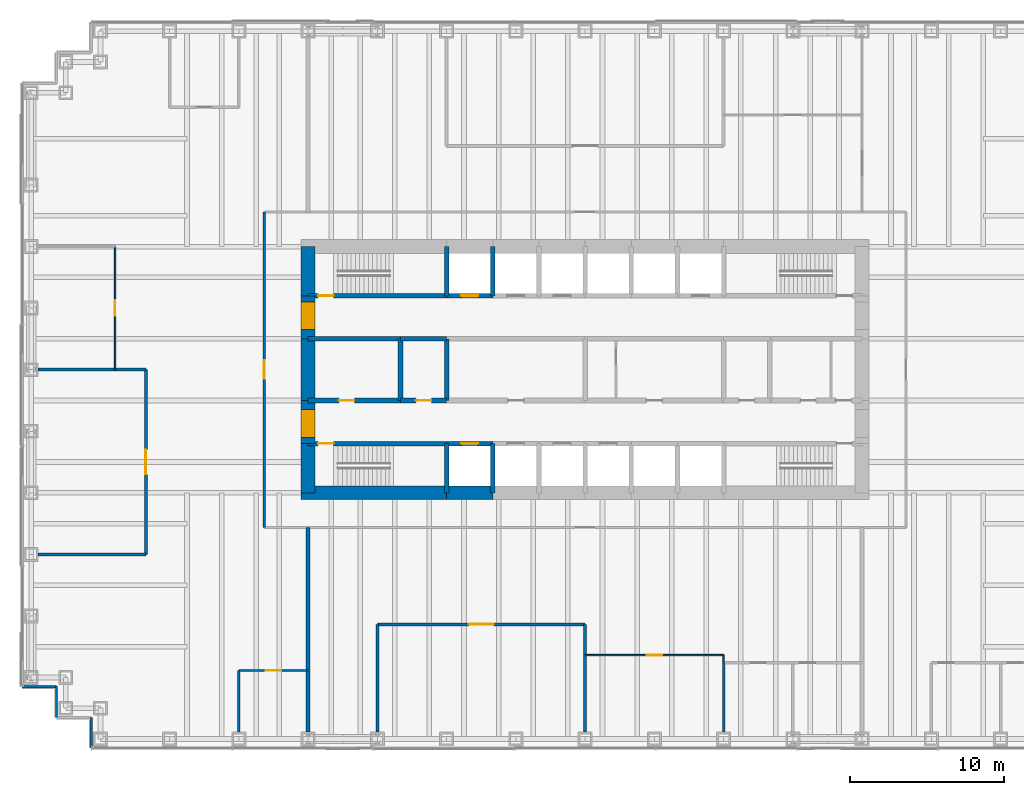
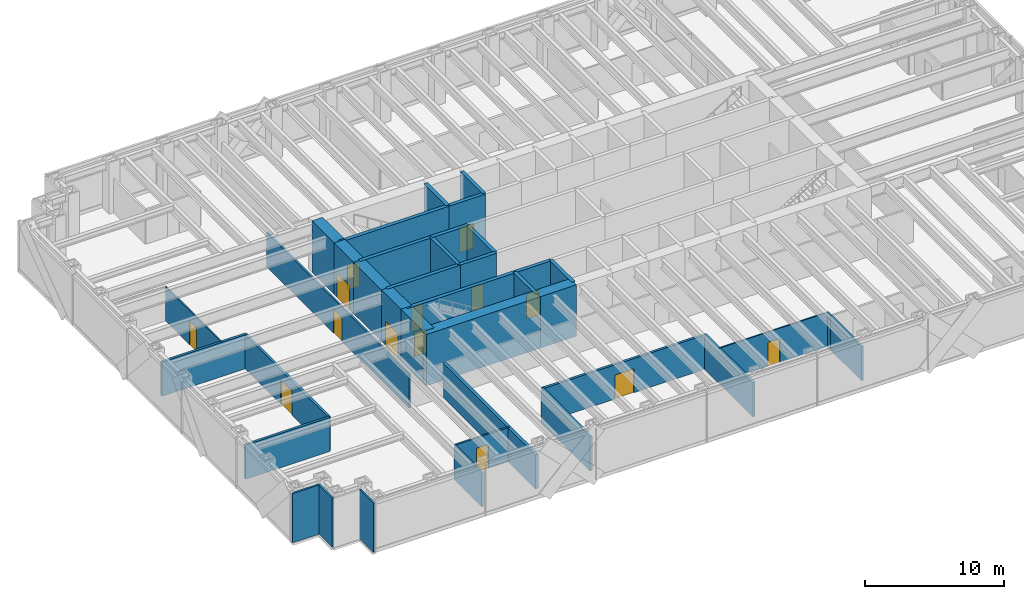
# One storey, part 9 of 13: 38 walls, 14 doors, 14 openings.
"""IFC4 building model written with IfcOpenShell, lengths in metres."""

from ifc_helpers import new_model, si_unit, direction, frame, frame_2d, origin, place, context, subcontext, project, spatial, rectangle, extrude, material, layer, layer_set, type_object, element, fill, save


model = new_model("IFC4")

# Units and contexts
model_context = context("Model", 3, precision=1e-05, world=origin(), true_north=direction((0.0, 1.0)))
body_context = subcontext(model_context, "Body", "Model", "MODEL_VIEW")
ifc_project = project(units=[si_unit("LENGTHUNIT", "METRE"), si_unit("AREAUNIT", "SQUARE_METRE"), si_unit("VOLUMEUNIT", "CUBIC_METRE"), si_unit("PLANEANGLEUNIT", "RADIAN"), si_unit("MASSUNIT", "GRAM", prefix="KILO")], contexts=[model_context])

# Site, building, storey
site_placement = place(None, origin())
site = spatial("IfcSite", under=ifc_project, at=site_placement, CompositionType="ELEMENT")
building_placement = place(site_placement, origin())
building = spatial("IfcBuilding", under=site, at=building_placement, Name="Rheinbord Bourse Tower", CompositionType="ELEMENT")
storey_placement = place(building_placement, frame((0.0, 0.0, 77.0)))
storey = spatial("IfcBuildingStorey", under=building, at=storey_placement, Name="L16", CompositionType="ELEMENT", Elevation=77.0)

# Wall, opening, door
ifc_material_1 = material(Name="Acoustic gypsum board partition", Category="gypsum board")
ifc_layer_1 = layer(ifc_material_1, 0.199951171875)
ifc_layer_set_1 = layer_set([ifc_layer_1], Name="ACOUSTIC PARTITION 200")
wall_type_1 = type_object("IfcWallType", Name="ACOUSTIC PARTITION 200", PredefinedType="PARTITIONING", material=ifc_layer_set_1)
wall_1_placement = place(storey_placement, frame((22.5, 7.449951171875, 0.0), z_axis=(0.0, 0.0, 1.0), x_axis=(1.0, 0.0, 0.0)))
wall_1 = element("IfcWall", 1, at=wall_1_placement, inside=storey, type_object=wall_type_1, Name="Partition L16-06", PredefinedType="PARTITIONING", context=body_context, shape_type="SweptSolid", body=[
    extrude(rectangle(XDim=13.5, YDim=0.199951171875, at=frame_2d((6.75, 0.0))), origin(), (0.0, 0.0, 1.0), 3.0),
])
opening_1_placement = place(wall_1_placement, frame((5.949951171875, 0.0, 0.0)))
opening_1 = element("IfcOpeningElement", 2, at=opening_1_placement, cuts=wall_1, Name="Opening 16D07", PredefinedType="OPENING", context=body_context, shape_type="SweptSolid", body=[
    extrude(rectangle(XDim=1.60009765625, YDim=2.10009765625, at=frame_2d((0.800048828125, 1.050048828125))), frame((0.0, 0.10986328125, 0.0), z_axis=(0.0, -1.0, 0.0), x_axis=(1.0, 0.0, 0.0)), (0.0, 0.0, 1.0), 0.219970703125),
])
ifc_material_2 = material(Name="Timber door", Category="wood")
door_type_1 = type_object("IfcDoorType", Name="DOUBLE ROOM DOOR 1600", OperationType="DOUBLE_DOOR_DOUBLE_SWING", PredefinedType="DOOR", material=ifc_material_2)
door_1_placement = place(opening_1_placement, origin())
door_1 = element("IfcDoor", 3, at=door_1_placement, inside=storey, type_object=door_type_1, Name="Trading room door L16", OperationType="SINGLE_SWING_LEFT", OverallHeight=2.10009765625, OverallWidth=1.60009765625, PredefinedType="DOOR", context=body_context, shape_type="SweptSolid", body=[
    extrude(rectangle(XDim=1.60009765625, YDim=2.10009765625, at=frame_2d((0.800048828125, 1.050048828125))), frame((0.0, 0.02490234375, 0.0), z_axis=(0.0, -1.0, 0.0), x_axis=(1.0, 0.0, 0.0)), (0.0, 0.0, 1.0), 0.050048828125),
])
fill(opening_1, door_1)

# Walls
for number, where, z_axis, x_axis, name in (
    (4, (0.449951171875, 12.0, 0.0), (0.0, 0.0, 1.0), (1.0, 0.0, 0.0), "Partition L16-07"),
    (5, (0.449951171875, 24.0, 0.0), (0.0, 0.0, 1.0), (1.0, 0.0, 0.0), "Partition L16-11"),
):
    element("IfcWall", number, at=place(storey_placement, frame(where, z_axis=z_axis, x_axis=x_axis)), inside=storey, type_object=wall_type_1, Name=name, PredefinedType="PARTITIONING", context=body_context, shape_type="SweptSolid", body=[
        extrude(rectangle(XDim=7.0, YDim=0.199951171875, at=frame_2d((3.5, 0.0))), origin(), (0.0, 0.0, 1.0), 3.0),
    ])

# Wall, opening, door
wall_2_placement = place(storey_placement, frame((7.449951171875, 12.0, 0.0), z_axis=(0.0, 0.0, 1.0), x_axis=(0.0, 1.0, 0.0)))
wall_2 = element("IfcWall", 6, at=wall_2_placement, inside=storey, type_object=wall_type_1, Name="Partition L16-22", PredefinedType="PARTITIONING", context=body_context, shape_type="SweptSolid", body=[
    extrude(rectangle(XDim=12.0, YDim=0.199951171875, at=frame_2d((6.0, 0.0))), origin(), (0.0, 0.0, 1.0), 3.0),
])
opening_2_placement = place(wall_2_placement, frame((5.199951171875, 0.0, 0.0)))
opening_2 = element("IfcOpeningElement", 7, at=opening_2_placement, cuts=wall_2, Name="Opening 16D09", PredefinedType="OPENING", context=body_context, shape_type="SweptSolid", body=[
    extrude(rectangle(XDim=1.60009765625, YDim=2.10009765625, at=frame_2d((0.800048828125, 1.050048828125))), frame((0.0, 0.10986328125, 0.0), z_axis=(0.0, -1.0, 0.0), x_axis=(1.0, 0.0, 0.0)), (0.0, 0.0, 1.0), 0.219970703125),
])
door_2_placement = place(opening_2_placement, origin())
door_2 = element("IfcDoor", 8, at=door_2_placement, inside=storey, type_object=door_type_1, Name="Trading room door L16", OperationType="SINGLE_SWING_LEFT", OverallHeight=2.10009765625, OverallWidth=1.60009765625, PredefinedType="DOOR", context=body_context, shape_type="SweptSolid", body=[
    extrude(rectangle(XDim=1.60009765625, YDim=2.10009765625, at=frame_2d((0.800048828125, 1.050048828125))), frame((0.0, 0.02490234375, 0.0), z_axis=(0.0, -1.0, 0.0), x_axis=(1.0, 0.0, 0.0)), (0.0, 0.0, 1.0), 0.050048828125),
])
fill(opening_2, door_2)

# Walls
for number, where, z_axis, x_axis, name in (
    (9, (22.5, 0.449951171875, 0.0), (0.0, 0.0, 1.0), (0.0, 1.0, 0.0), "Partition L16-29"),
    (10, (36.0, 0.449951171875, 0.0), (0.0, 0.0, 1.0), (0.0, 1.0, 0.0), "Partition L16-31"),
):
    element("IfcWall", number, at=place(storey_placement, frame(where, z_axis=z_axis, x_axis=x_axis)), inside=storey, type_object=wall_type_1, Name=name, PredefinedType="PARTITIONING", context=body_context, shape_type="SweptSolid", body=[
        extrude(rectangle(XDim=7.0, YDim=0.199951171875, at=frame_2d((3.5, 0.0))), origin(), (0.0, 0.0, 1.0), 3.0),
    ])

# Wall, opening, door
ifc_material_3 = material(Name="Concrete C50/60", Category="concrete")
ifc_layer_2 = layer(ifc_material_3, 0.300048828125)
ifc_layer_set_2 = layer_set([ifc_layer_2], Name="CORE INNER WALL 300")
wall_type_2 = type_object("IfcWallType", Name="CORE INNER WALL 300", PredefinedType="SOLIDWALL", material=ifc_layer_set_2)
wall_3_placement = place(storey_placement, frame((18.0, 19.199951171875, 0.0), z_axis=(0.0, 0.0, 1.0), x_axis=(1.0, 0.0, 0.0)))
wall_3 = element("IfcWall", 11, at=wall_3_placement, inside=storey, type_object=wall_type_2, Name="Core wall A1 L16", PredefinedType="SOLIDWALL", context=body_context, shape_type="SweptSolid", body=[
    extrude(rectangle(XDim=9.0, YDim=0.300048828125, at=frame_2d((4.5, 0.0))), origin(), (0.0, 0.0, 1.0), 4.5),
])
opening_3_placement = place(wall_3_placement, frame((0.64990234375, 0.0, 0.0)))
opening_3 = element("IfcOpeningElement", 12, at=opening_3_placement, cuts=wall_3, Name="Opening 1610", PredefinedType="OPENING", context=body_context, shape_type="SweptSolid", body=[
    extrude(rectangle(XDim=1.0, YDim=2.10009765625, at=frame_2d((0.5, 1.050048828125))), frame((0.0, 0.159912109375, 0.0), z_axis=(0.0, -1.0, 0.0), x_axis=(1.0, 0.0, 0.0)), (0.0, 0.0, 1.0), 0.320068359375),
])
ifc_material_4 = material(Name="Steel door", Category="steel")
door_type_2 = type_object("IfcDoorType", Name="DOOR 1000 EI30", OperationType="SINGLE_SWING_LEFT", PredefinedType="DOOR", material=ifc_material_4)
door_3_placement = place(opening_3_placement, origin())
door_3 = element("IfcDoor", 13, at=door_3_placement, inside=storey, type_object=door_type_2, Name="Stair door ST1 L16", OperationType="SINGLE_SWING_LEFT", OverallHeight=2.10009765625, OverallWidth=1.0, PredefinedType="DOOR", context=body_context, shape_type="SweptSolid", body=[
    extrude(rectangle(XDim=1.0, YDim=2.10009765625, at=frame_2d((0.5, 1.050048828125))), frame((0.0, 0.02490234375, 0.0), z_axis=(0.0, -1.0, 0.0), x_axis=(1.0, 0.0, 0.0)), (0.0, 0.0, 1.0), 0.050048828125),
])
fill(opening_3, door_3)

wall_4_placement = place(storey_placement, frame((27.0, 19.199951171875, 0.0), z_axis=(0.0, 0.0, 1.0), x_axis=(1.0, 0.0, 0.0)))
wall_4 = element("IfcWall", 14, at=wall_4_placement, inside=storey, type_object=wall_type_2, Name="Core wall A2 L16", PredefinedType="SOLIDWALL", context=body_context, shape_type="SweptSolid", body=[
    extrude(rectangle(XDim=3.0, YDim=0.300048828125, at=frame_2d((1.5, 0.0))), origin(), (0.0, 0.0, 1.0), 4.5),
])
opening_4_placement = place(wall_4_placement, frame((0.949951171875, 0.0, 0.0)))
opening_4 = element("IfcOpeningElement", 15, at=opening_4_placement, cuts=wall_4, Name="Opening FL1", PredefinedType="OPENING", context=body_context, shape_type="SweptSolid", body=[
    extrude(rectangle(XDim=1.10009765625, YDim=2.199951171875, at=frame_2d((0.550048828125, 1.10009765625))), frame((0.0, 0.159912109375, 0.0), z_axis=(0.0, -1.0, 0.0), x_axis=(1.0, 0.0, 0.0)), (0.0, 0.0, 1.0), 0.320068359375),
])
ifc_material_5 = material(Name="Steel landing door", Category="steel")
door_type_3 = type_object("IfcDoorType", Name="LIFT LANDING DOOR 1100", OperationType="DOUBLE_DOOR_SLIDING", PredefinedType="USERDEFINED", material=ifc_material_5)
door_4_placement = place(opening_4_placement, origin())
door_4 = element("IfcDoor", 16, at=door_4_placement, inside=storey, type_object=door_type_3, Name="Lift landing door FL1 L16", ObjectType="LIFT LANDING DOOR", OperationType="DOUBLE_DOOR_SLIDING", OverallHeight=2.199951171875, OverallWidth=1.10009765625, PredefinedType="USERDEFINED", context=body_context, shape_type="SweptSolid", body=[
    extrude(rectangle(XDim=1.10009765625, YDim=2.199951171875, at=frame_2d((0.550048828125, 1.10009765625))), frame((0.0, 0.02490234375, 0.0), z_axis=(0.0, -1.0, 0.0), x_axis=(1.0, 0.0, 0.0)), (0.0, 0.0, 1.0), 0.050048828125),
])
fill(opening_4, door_4)

wall_5_placement = place(storey_placement, frame((18.0, 28.800048828125, 0.0), z_axis=(0.0, 0.0, 1.0), x_axis=(1.0, 0.0, 0.0)))
wall_5 = element("IfcWall", 17, at=wall_5_placement, inside=storey, type_object=wall_type_2, Name="Core wall B1 L16", PredefinedType="SOLIDWALL", context=body_context, shape_type="SweptSolid", body=[
    extrude(rectangle(XDim=9.0, YDim=0.300048828125, at=frame_2d((4.5, 0.0))), origin(), (0.0, 0.0, 1.0), 4.5),
])
opening_5_placement = place(wall_5_placement, frame((0.64990234375, 0.0, 0.0)))
opening_5 = element("IfcOpeningElement", 18, at=opening_5_placement, cuts=wall_5, Name="Opening 1620", PredefinedType="OPENING", context=body_context, shape_type="SweptSolid", body=[
    extrude(rectangle(XDim=1.0, YDim=2.10009765625, at=frame_2d((0.5, 1.050048828125))), frame((0.0, 0.159912109375, 0.0), z_axis=(0.0, -1.0, 0.0), x_axis=(1.0, 0.0, 0.0)), (0.0, 0.0, 1.0), 0.320068359375),
])
door_5_placement = place(opening_5_placement, origin())
door_5 = element("IfcDoor", 19, at=door_5_placement, inside=storey, type_object=door_type_2, Name="Stair door ST2 L16", OperationType="SINGLE_SWING_LEFT", OverallHeight=2.10009765625, OverallWidth=1.0, PredefinedType="DOOR", context=body_context, shape_type="SweptSolid", body=[
    extrude(rectangle(XDim=1.0, YDim=2.10009765625, at=frame_2d((0.5, 1.050048828125))), frame((0.0, 0.02490234375, 0.0), z_axis=(0.0, -1.0, 0.0), x_axis=(1.0, 0.0, 0.0)), (0.0, 0.0, 1.0), 0.050048828125),
])
fill(opening_5, door_5)

wall_6_placement = place(storey_placement, frame((27.0, 28.800048828125, 0.0), z_axis=(0.0, 0.0, 1.0), x_axis=(1.0, 0.0, 0.0)))
wall_6 = element("IfcWall", 20, at=wall_6_placement, inside=storey, type_object=wall_type_2, Name="Core wall B2 L16", PredefinedType="SOLIDWALL", context=body_context, shape_type="SweptSolid", body=[
    extrude(rectangle(XDim=3.0, YDim=0.300048828125, at=frame_2d((1.5, 0.0))), origin(), (0.0, 0.0, 1.0), 4.5),
])
opening_6_placement = place(wall_6_placement, frame((0.949951171875, 0.0, 0.0)))
opening_6 = element("IfcOpeningElement", 21, at=opening_6_placement, cuts=wall_6, Name="Opening GL1", PredefinedType="OPENING", context=body_context, shape_type="SweptSolid", body=[
    extrude(rectangle(XDim=1.10009765625, YDim=2.199951171875, at=frame_2d((0.550048828125, 1.10009765625))), frame((0.0, 0.159912109375, 0.0), z_axis=(0.0, -1.0, 0.0), x_axis=(1.0, 0.0, 0.0)), (0.0, 0.0, 1.0), 0.320068359375),
])
door_6_placement = place(opening_6_placement, origin())
door_6 = element("IfcDoor", 22, at=door_6_placement, inside=storey, type_object=door_type_3, Name="Lift landing door GL1 L16", ObjectType="LIFT LANDING DOOR", OperationType="DOUBLE_DOOR_SLIDING", OverallHeight=2.199951171875, OverallWidth=1.10009765625, PredefinedType="USERDEFINED", context=body_context, shape_type="SweptSolid", body=[
    extrude(rectangle(XDim=1.10009765625, YDim=2.199951171875, at=frame_2d((0.550048828125, 1.10009765625))), frame((0.0, 0.02490234375, 0.0), z_axis=(0.0, -1.0, 0.0), x_axis=(1.0, 0.0, 0.0)), (0.0, 0.0, 1.0), 0.050048828125),
])
fill(opening_6, door_6)

wall_7_placement = place(storey_placement, frame((18.0, 22.0, 0.0), z_axis=(0.0, 0.0, 1.0), x_axis=(1.0, 0.0, 0.0)))
wall_7 = element("IfcWall", 23, at=wall_7_placement, inside=storey, type_object=wall_type_2, Name="Core wall C1 L16", PredefinedType="SOLIDWALL", context=body_context, shape_type="SweptSolid", body=[
    extrude(rectangle(XDim=6.0, YDim=0.300048828125, at=frame_2d((3.0, 0.0))), origin(), (0.0, 0.0, 1.0), 4.5),
])
opening_7_placement = place(wall_7_placement, frame((2.0, 0.0, 0.0)))
opening_7 = element("IfcOpeningElement", 24, at=opening_7_placement, cuts=wall_7, Name="Opening 16R1", PredefinedType="OPENING", context=body_context, shape_type="SweptSolid", body=[
    extrude(rectangle(XDim=1.0, YDim=2.10009765625, at=frame_2d((0.5, 1.050048828125))), frame((0.0, 0.159912109375, 0.0), z_axis=(0.0, -1.0, 0.0), x_axis=(1.0, 0.0, 0.0)), (0.0, 0.0, 1.0), 0.320068359375),
])
ifc_material_6 = material(Name="Timber door", Category="wood")
door_type_4 = type_object("IfcDoorType", Name="DOOR 1000 WC", OperationType="SINGLE_SWING_LEFT", PredefinedType="DOOR", material=ifc_material_6)
door_7_placement = place(opening_7_placement, origin())
door_7 = element("IfcDoor", 25, at=door_7_placement, inside=storey, type_object=door_type_4, Name="WC men door L16", OperationType="SINGLE_SWING_LEFT", OverallHeight=2.10009765625, OverallWidth=1.0, PredefinedType="DOOR", context=body_context, shape_type="SweptSolid", body=[
    extrude(rectangle(XDim=1.0, YDim=2.10009765625, at=frame_2d((0.5, 1.050048828125))), frame((0.0, 0.02490234375, 0.0), z_axis=(0.0, -1.0, 0.0), x_axis=(1.0, 0.0, 0.0)), (0.0, 0.0, 1.0), 0.050048828125),
])
fill(opening_7, door_7)

wall_8_placement = place(storey_placement, frame((24.0, 22.0, 0.0), z_axis=(0.0, 0.0, 1.0), x_axis=(1.0, 0.0, 0.0)))
wall_8 = element("IfcWall", 26, at=wall_8_placement, inside=storey, type_object=wall_type_2, Name="Core wall C2 L16", PredefinedType="SOLIDWALL", context=body_context, shape_type="SweptSolid", body=[
    extrude(rectangle(XDim=3.0, YDim=0.300048828125, at=frame_2d((1.5, 0.0))), origin(), (0.0, 0.0, 1.0), 4.5),
])
opening_8_placement = place(wall_8_placement, frame((1.0, 0.0, 0.0)))
opening_8 = element("IfcOpeningElement", 27, at=opening_8_placement, cuts=wall_8, Name="Opening 16R2", PredefinedType="OPENING", context=body_context, shape_type="SweptSolid", body=[
    extrude(rectangle(XDim=1.0, YDim=2.10009765625, at=frame_2d((0.5, 1.050048828125))), frame((0.0, 0.159912109375, 0.0), z_axis=(0.0, -1.0, 0.0), x_axis=(1.0, 0.0, 0.0)), (0.0, 0.0, 1.0), 0.320068359375),
])
door_8_placement = place(opening_8_placement, origin())
door_8 = element("IfcDoor", 28, at=door_8_placement, inside=storey, type_object=door_type_4, Name="Shower and accessible WC door L16", OperationType="SINGLE_SWING_LEFT", OverallHeight=2.10009765625, OverallWidth=1.0, PredefinedType="DOOR", context=body_context, shape_type="SweptSolid", body=[
    extrude(rectangle(XDim=1.0, YDim=2.10009765625, at=frame_2d((0.5, 1.050048828125))), frame((0.0, 0.02490234375, 0.0), z_axis=(0.0, -1.0, 0.0), x_axis=(1.0, 0.0, 0.0)), (0.0, 0.0, 1.0), 0.050048828125),
])
fill(opening_8, door_8)

# Walls
wall_9_placement = place(storey_placement, frame((18.0, 26.0, 0.0), z_axis=(0.0, 0.0, 1.0), x_axis=(1.0, 0.0, 0.0)))
element("IfcWall", 29, at=wall_9_placement, inside=storey, type_object=wall_type_2, Name="Core wall D1 L16", PredefinedType="SOLIDWALL", context=body_context, shape_type="SweptSolid", body=[
    extrude(rectangle(XDim=6.0, YDim=0.300048828125, at=frame_2d((3.0, 0.0))), origin(), (0.0, 0.0, 1.0), 4.5),
])
wall_10_placement = place(storey_placement, frame((24.0, 26.0, 0.0), z_axis=(0.0, 0.0, 1.0), x_axis=(1.0, 0.0, 0.0)))
element("IfcWall", 30, at=wall_10_placement, inside=storey, type_object=wall_type_2, Name="Core wall D2 L16", PredefinedType="SOLIDWALL", context=body_context, shape_type="SweptSolid", body=[
    extrude(rectangle(XDim=3.0, YDim=0.300048828125, at=frame_2d((1.5, 0.0))), origin(), (0.0, 0.0, 1.0), 4.5),
])
for number, where, z_axis, x_axis, name in (
    (31, (27.0, 16.0, 0.0), (0.0, 0.0, 1.0), (0.0, 1.0, 0.0), "Core wall SX27 L16"),
    (32, (27.0, 28.800048828125, 0.0), (0.0, 0.0, 1.0), (0.0, 1.0, 0.0), "Core wall NX27 L16"),
    (33, (30.0, 16.0, 0.0), (0.0, 0.0, 1.0), (0.0, 1.0, 0.0), "Core wall SX30 L16"),
    (34, (30.0, 28.800048828125, 0.0), (0.0, 0.0, 1.0), (0.0, 1.0, 0.0), "Core wall NX30 L16"),
):
    element("IfcWall", number, at=place(storey_placement, frame(where, z_axis=z_axis, x_axis=x_axis)), inside=storey, type_object=wall_type_2, Name=name, PredefinedType="SOLIDWALL", context=body_context, shape_type="SweptSolid", body=[
        extrude(rectangle(XDim=3.199951171875, YDim=0.300048828125, at=frame_2d((1.60009765625, 0.0))), origin(), (0.0, 0.0, 1.0), 4.5),
    ])
for number, where, z_axis, x_axis, name in (
    (35, (24.0, 22.0, 0.0), (0.0, 0.0, 1.0), (0.0, 1.0, 0.0), "Core wall MX24 L16"),
    (36, (27.0, 22.0, 0.0), (0.0, 0.0, 1.0), (0.0, 1.0, 0.0), "Core wall MX27 L16"),
):
    element("IfcWall", number, at=place(storey_placement, frame(where, z_axis=z_axis, x_axis=x_axis)), inside=storey, type_object=wall_type_2, Name=name, PredefinedType="SOLIDWALL", context=body_context, shape_type="SweptSolid", body=[
        extrude(rectangle(XDim=4.0, YDim=0.300048828125, at=frame_2d((2.0, 0.0))), origin(), (0.0, 0.0, 1.0), 4.5),
    ])
ifc_material_7 = material(Name="Concrete C50/60", Category="concrete")
ifc_layer_3 = layer(ifc_material_7, 0.89990234375)
ifc_layer_set_3 = layer_set([ifc_layer_3], Name="CORE WALL 900")
wall_type_3 = type_object("IfcWallType", Name="CORE WALL 900", PredefinedType="SHEAR", material=ifc_layer_set_3)
wall_11_placement = place(storey_placement, frame((17.550048828125, 16.0, 0.0), z_axis=(0.0, 0.0, 1.0), x_axis=(1.0, 0.0, 0.0)))
element("IfcWall", 37, at=wall_11_placement, inside=storey, type_object=wall_type_3, Name="Core wall S1 L16", PredefinedType="SHEAR", context=body_context, shape_type="SweptSolid", body=[
    extrude(rectangle(XDim=9.449951171875, YDim=0.89990234375, at=frame_2d((4.72509765625, 0.0))), origin(), (0.0, 0.0, 1.0), 4.5),
])
wall_12_placement = place(storey_placement, frame((27.0, 16.0, 0.0), z_axis=(0.0, 0.0, 1.0), x_axis=(1.0, 0.0, 0.0)))
element("IfcWall", 38, at=wall_12_placement, inside=storey, type_object=wall_type_3, Name="Core wall S2 L16", PredefinedType="SHEAR", context=body_context, shape_type="SweptSolid", body=[
    extrude(rectangle(XDim=3.0, YDim=0.89990234375, at=frame_2d((1.5, 0.0))), origin(), (0.0, 0.0, 1.0), 4.5),
])
wall_13_placement = place(storey_placement, frame((18.0, 32.0, 0.0), z_axis=(0.0, 0.0, 1.0), x_axis=(0.0, -1.0, 0.0)))
element("IfcWall", 39, at=wall_13_placement, inside=storey, type_object=wall_type_3, Name="Core wall W1 L16", PredefinedType="SHEAR", context=body_context, shape_type="SweptSolid", body=[
    extrude(rectangle(XDim=3.199951171875, YDim=0.89990234375, at=frame_2d((1.60009765625, 0.0))), origin(), (0.0, 0.0, 1.0), 4.5),
])

# Wall, opening, door
wall_14_placement = place(storey_placement, frame((18.0, 28.800048828125, 0.0), z_axis=(0.0, 0.0, 1.0), x_axis=(0.0, -1.0, 0.0)))
wall_14 = element("IfcWall", 40, at=wall_14_placement, inside=storey, type_object=wall_type_3, Name="Core wall W2 L16", PredefinedType="SHEAR", context=body_context, shape_type="SweptSolid", body=[
    extrude(rectangle(XDim=2.800048828125, YDim=0.89990234375, at=frame_2d((1.39990234375, 0.0))), origin(), (0.0, 0.0, 1.0), 4.5),
])
opening_9_placement = place(wall_14_placement, frame((0.39990234375, 0.0, 0.0)))
opening_9 = element("IfcOpeningElement", 41, at=opening_9_placement, cuts=wall_14, Name="Opening 16L2", PredefinedType="OPENING", context=body_context, shape_type="SweptSolid", body=[
    extrude(rectangle(XDim=1.800048828125, YDim=2.10009765625, at=frame_2d((0.89990234375, 1.050048828125))), frame((0.0, 0.4599609375, 0.0), z_axis=(0.0, -1.0, 0.0), x_axis=(1.0, 0.0, 0.0)), (0.0, 0.0, 1.0), 0.919921875),
])
ifc_material_8 = material(Name="Steel door", Category="steel")
door_type_5 = type_object("IfcDoorType", Name="DOOR 1800 EI30 DOUBLE", OperationType="DOUBLE_DOOR_DOUBLE_SWING", PredefinedType="DOOR", material=ifc_material_8)
door_9_placement = place(opening_9_placement, origin())
door_9 = element("IfcDoor", 42, at=door_9_placement, inside=storey, type_object=door_type_5, Name="Lobby door 2 L16", OperationType="SINGLE_SWING_LEFT", OverallHeight=2.10009765625, OverallWidth=1.800048828125, PredefinedType="DOOR", context=body_context, shape_type="SweptSolid", body=[
    extrude(rectangle(XDim=1.800048828125, YDim=2.10009765625, at=frame_2d((0.89990234375, 1.050048828125))), frame((0.0, 0.44970703125, 0.0), z_axis=(0.0, -1.0, 0.0), x_axis=(1.0, 0.0, 0.0)), (0.0, 0.0, 1.0), 0.8994140625),
])
fill(opening_9, door_9)

# Wall
wall_15_placement = place(storey_placement, frame((18.0, 26.0, 0.0), z_axis=(0.0, 0.0, 1.0), x_axis=(0.0, -1.0, 0.0)))
element("IfcWall", 43, at=wall_15_placement, inside=storey, type_object=wall_type_3, Name="Core wall W3 L16", PredefinedType="SHEAR", context=body_context, shape_type="SweptSolid", body=[
    extrude(rectangle(XDim=4.0, YDim=0.89990234375, at=frame_2d((2.0, 0.0))), origin(), (0.0, 0.0, 1.0), 4.5),
])

# Wall, opening, door
wall_16_placement = place(storey_placement, frame((18.0, 22.0, 0.0), z_axis=(0.0, 0.0, 1.0), x_axis=(0.0, -1.0, 0.0)))
wall_16 = element("IfcWall", 44, at=wall_16_placement, inside=storey, type_object=wall_type_3, Name="Core wall W4 L16", PredefinedType="SHEAR", context=body_context, shape_type="SweptSolid", body=[
    extrude(rectangle(XDim=2.800048828125, YDim=0.89990234375, at=frame_2d((1.39990234375, 0.0))), origin(), (0.0, 0.0, 1.0), 4.5),
])
opening_10_placement = place(wall_16_placement, frame((0.60009765625, 0.0, 0.0)))
opening_10 = element("IfcOpeningElement", 45, at=opening_10_placement, cuts=wall_16, Name="Opening 16L1", PredefinedType="OPENING", context=body_context, shape_type="SweptSolid", body=[
    extrude(rectangle(XDim=1.800048828125, YDim=2.10009765625, at=frame_2d((0.89990234375, 1.050048828125))), frame((0.0, 0.4599609375, 0.0), z_axis=(0.0, -1.0, 0.0), x_axis=(1.0, 0.0, 0.0)), (0.0, 0.0, 1.0), 0.919921875),
])
door_10_placement = place(opening_10_placement, origin())
door_10 = element("IfcDoor", 46, at=door_10_placement, inside=storey, type_object=door_type_5, Name="Lobby door 1 L16", OperationType="SINGLE_SWING_LEFT", OverallHeight=2.10009765625, OverallWidth=1.800048828125, PredefinedType="DOOR", context=body_context, shape_type="SweptSolid", body=[
    extrude(rectangle(XDim=1.800048828125, YDim=2.10009765625, at=frame_2d((0.89990234375, 1.050048828125))), frame((0.0, 0.44970703125, 0.0), z_axis=(0.0, -1.0, 0.0), x_axis=(1.0, 0.0, 0.0)), (0.0, 0.0, 1.0), 0.8994140625),
])
fill(opening_10, door_10)

# Walls
wall_17_placement = place(storey_placement, frame((18.0, 19.199951171875, 0.0), z_axis=(0.0, 0.0, 1.0), x_axis=(0.0, -1.0, 0.0)))
element("IfcWall", 47, at=wall_17_placement, inside=storey, type_object=wall_type_3, Name="Core wall W5 L16", PredefinedType="SHEAR", context=body_context, shape_type="SweptSolid", body=[
    extrude(rectangle(XDim=3.199951171875, YDim=0.89990234375, at=frame_2d((1.60009765625, 0.0))), origin(), (0.0, 0.0, 1.0), 4.5),
])
ifc_material_9 = material(Name="Black metal rainscreen panel", Category="aluminium")
ifc_layer_4 = layer(ifc_material_9, 0.14990234375)
ifc_layer_set_4 = layer_set([ifc_layer_4], Name="CORNER PIER CLADDING 150")
wall_type_4 = type_object("IfcWallType", Name="CORNER PIER CLADDING 150", PredefinedType="ELEMENTEDWALL", material=ifc_layer_set_4)
wall_18_placement = place(storey_placement, frame((-0.60009765625, 3.39990234375, 0.0), z_axis=(0.0, 0.0, 1.0), x_axis=(1.0, 0.0, 0.0)))
element("IfcWall", 48, at=wall_18_placement, inside=storey, type_object=wall_type_4, Name="Corner pier cladding L16 17", PredefinedType="ELEMENTEDWALL", context=body_context, shape_type="SweptSolid", body=[
    extrude(rectangle(XDim=2.25, YDim=0.14990234375, at=frame_2d((1.125, 0.0))), origin(), (0.0, 0.0, 1.0), 4.320068359375),
])
for number, where, z_axis, x_axis, name in (
    (49, (1.64990234375, 3.39990234375, 0.0), (0.0, 0.0, 1.0), (0.0, -1.0, 0.0), "Corner pier cladding L16 18"),
    (50, (3.89990234375, 1.39990234375, 0.0), (0.0, 0.0, 1.0), (0.0, -1.0, 0.0), "Corner pier cladding L16 20"),
):
    element("IfcWall", number, at=place(storey_placement, frame(where, z_axis=z_axis, x_axis=x_axis)), inside=storey, type_object=wall_type_4, Name=name, PredefinedType="ELEMENTEDWALL", context=body_context, shape_type="SweptSolid", body=[
        extrude(rectangle(XDim=2.0, YDim=0.14990234375, at=frame_2d((1.0, 0.0))), origin(), (0.0, 0.0, 1.0), 4.320068359375),
    ])

# Wall, opening, door
ifc_material_10 = material(Name="Gypsum board corridor partition", Category="gypsum board")
ifc_layer_5 = layer(ifc_material_10, 0.14990234375)
ifc_layer_set_5 = layer_set([ifc_layer_5], Name="CORRIDOR PARTITION 150 EI30")
wall_type_5 = type_object("IfcWallType", Name="CORRIDOR PARTITION 150 EI30", PredefinedType="PARTITIONING", material=ifc_layer_set_5)
wall_19_placement = place(storey_placement, frame((15.14990234375, 13.75, 0.0), z_axis=(0.0, 0.0, 1.0), x_axis=(0.0, 1.0, 0.0)))
wall_19 = element("IfcWall", 51, at=wall_19_placement, inside=storey, type_object=wall_type_5, Name="Partition L16-26", PredefinedType="PARTITIONING", context=body_context, shape_type="SweptSolid", body=[
    extrude(rectangle(XDim=20.5, YDim=0.14990234375, at=frame_2d((10.25, 0.0))), origin(), (0.0, 0.0, 1.0), 3.0),
])
opening_11_placement = place(wall_19_placement, frame((9.64990234375, 0.0, 0.0)))
opening_11 = element("IfcOpeningElement", 52, at=opening_11_placement, cuts=wall_19, Name="Opening 16D17", PredefinedType="OPENING", context=body_context, shape_type="SweptSolid", body=[
    extrude(rectangle(XDim=1.199951171875, YDim=2.10009765625, at=frame_2d((0.60009765625, 1.050048828125))), frame((0.0, 0.0849609375, 0.0), z_axis=(0.0, -1.0, 0.0), x_axis=(1.0, 0.0, 0.0)), (0.0, 0.0, 1.0), 0.169921875),
])
ifc_material_11 = material(Name="Timber fire door", Category="wood")
door_type_6 = type_object("IfcDoorType", Name="SUITE ENTRANCE DOOR 1200 EI30", OperationType="SINGLE_SWING_LEFT", PredefinedType="DOOR", material=ifc_material_11)
door_11_placement = place(opening_11_placement, origin())
door_11 = element("IfcDoor", 53, at=door_11_placement, inside=storey, type_object=door_type_6, Name="Suite entrance 1 door L16", OperationType="SINGLE_SWING_LEFT", OverallHeight=2.10009765625, OverallWidth=1.199951171875, PredefinedType="DOOR", context=body_context, shape_type="SweptSolid", body=[
    extrude(rectangle(XDim=1.199951171875, YDim=2.10009765625, at=frame_2d((0.60009765625, 1.050048828125))), frame((0.0, 0.02490234375, 0.0), z_axis=(0.0, -1.0, 0.0), x_axis=(1.0, 0.0, 0.0)), (0.0, 0.0, 1.0), 0.050048828125),
])
fill(opening_11, door_11)

# Wall
ifc_material_12 = material(Name="Gypsum board tenancy wall", Category="gypsum board")
ifc_layer_6 = layer(ifc_material_12, 0.25)
ifc_layer_set_6 = layer_set([ifc_layer_6], Name="DEMISING PARTITION 250 EI60")
wall_type_6 = type_object("IfcWallType", Name="DEMISING PARTITION 250 EI60", PredefinedType="PARTITIONING", material=ifc_layer_set_6)
wall_20_placement = place(storey_placement, frame((18.0, 0.449951171875, 0.0), z_axis=(0.0, 0.0, 1.0), x_axis=(0.0, 1.0, 0.0)))
element("IfcWall", 54, at=wall_20_placement, inside=storey, type_object=wall_type_6, Name="Partition L16-27", PredefinedType="PARTITIONING", context=body_context, shape_type="SweptSolid", body=[
    extrude(rectangle(XDim=13.300048828125, YDim=0.25, at=frame_2d((6.64990234375, 0.0))), origin(), (0.0, 0.0, 1.0), 3.0),
])

# Wall, opening, door
ifc_material_13 = material(Name="Gypsum board fire partition", Category="gypsum board")
ifc_layer_7 = layer(ifc_material_13, 0.14990234375)
ifc_layer_set_7 = layer_set([ifc_layer_7], Name="FIRE PARTITION 150 EI60")
wall_type_7 = type_object("IfcWallType", Name="FIRE PARTITION 150 EI60", PredefinedType="PARTITIONING", material=ifc_layer_set_7)
wall_21_placement = place(storey_placement, frame((13.5, 4.449951171875, 0.0), z_axis=(0.0, 0.0, 1.0), x_axis=(1.0, 0.0, 0.0)))
wall_21 = element("IfcWall", 55, at=wall_21_placement, inside=storey, type_object=wall_type_7, Name="Partition L16-01", PredefinedType="PARTITIONING", context=body_context, shape_type="SweptSolid", body=[
    extrude(rectangle(XDim=4.5, YDim=0.14990234375, at=frame_2d((2.25, 0.0))), origin(), (0.0, 0.0, 1.0), 3.0),
])
opening_12_placement = place(wall_21_placement, frame((1.75, 0.0, 0.0)))
opening_12 = element("IfcOpeningElement", 56, at=opening_12_placement, cuts=wall_21, Name="Opening 16D01", PredefinedType="OPENING", context=body_context, shape_type="SweptSolid", body=[
    extrude(rectangle(XDim=1.0, YDim=2.10009765625, at=frame_2d((0.5, 1.050048828125))), frame((0.0, 0.0849609375, 0.0), z_axis=(0.0, -1.0, 0.0), x_axis=(1.0, 0.0, 0.0)), (0.0, 0.0, 1.0), 0.169921875),
])
ifc_material_14 = material(Name="Timber fire door", Category="wood")
door_type_7 = type_object("IfcDoorType", Name="FIRE DOOR 1000 EI60", OperationType="SINGLE_SWING_LEFT", PredefinedType="DOOR", material=ifc_material_14)
door_12_placement = place(opening_12_placement, origin())
door_12 = element("IfcDoor", 57, at=door_12_placement, inside=storey, type_object=door_type_7, Name="Comms room door L16", OperationType="SINGLE_SWING_LEFT", OverallHeight=2.10009765625, OverallWidth=1.0, PredefinedType="DOOR", context=body_context, shape_type="SweptSolid", body=[
    extrude(rectangle(XDim=1.0, YDim=2.10009765625, at=frame_2d((0.5, 1.050048828125))), frame((0.0, 0.02490234375, 0.0), z_axis=(0.0, -1.0, 0.0), x_axis=(1.0, 0.0, 0.0)), (0.0, 0.0, 1.0), 0.050048828125),
])
fill(opening_12, door_12)

# Walls
wall_22_placement = place(storey_placement, frame((13.5, 0.449951171875, 0.0), z_axis=(0.0, 0.0, 1.0), x_axis=(0.0, 1.0, 0.0)))
element("IfcWall", 58, at=wall_22_placement, inside=storey, type_object=wall_type_7, Name="Partition L16-24", PredefinedType="PARTITIONING", context=body_context, shape_type="SweptSolid", body=[
    extrude(rectangle(XDim=4.0, YDim=0.14990234375, at=frame_2d((2.0, 0.0))), origin(), (0.0, 0.0, 1.0), 3.0),
])
wall_23_placement = place(storey_placement, frame((45.0, 0.449951171875, 0.0), z_axis=(0.0, 0.0, 1.0), x_axis=(0.0, 1.0, 0.0)))
element("IfcWall", 59, at=wall_23_placement, inside=storey, type_object=wall_type_7, Name="Partition L16-32", PredefinedType="PARTITIONING", context=body_context, shape_type="SweptSolid", body=[
    extrude(rectangle(XDim=4.5, YDim=0.14990234375, at=frame_2d((2.25, 0.0))), origin(), (0.0, 0.0, 1.0), 3.0),
])

# Wall, opening, door
ifc_material_15 = material(Name="Toughened laminated glass partition", Category="glass")
ifc_layer_8 = layer(ifc_material_15, 0.10009765625)
ifc_layer_set_8 = layer_set([ifc_layer_8], Name="GLAZED PARTITION 100")
wall_type_8 = type_object("IfcWallType", Name="GLAZED PARTITION 100", PredefinedType="PARTITIONING", material=ifc_layer_set_8)
wall_24_placement = place(storey_placement, frame((36.0, 5.449951171875, 0.0), z_axis=(0.0, 0.0, 1.0), x_axis=(1.0, 0.0, 0.0)))
wall_24 = element("IfcWall", 60, at=wall_24_placement, inside=storey, type_object=wall_type_8, Name="Partition L16-05", PredefinedType="PARTITIONING", context=body_context, shape_type="SweptSolid", body=[
    extrude(rectangle(XDim=9.0, YDim=0.10009765625, at=frame_2d((4.5, 0.0))), origin(), (0.0, 0.0, 1.0), 3.0),
])
opening_13_placement = place(wall_24_placement, frame((4.0, 0.0, 0.0)))
opening_13 = element("IfcOpeningElement", 61, at=opening_13_placement, cuts=wall_24, Name="Opening 16D06", PredefinedType="OPENING", context=body_context, shape_type="SweptSolid", body=[
    extrude(rectangle(XDim=1.0, YDim=2.10009765625, at=frame_2d((0.5, 1.050048828125))), frame((0.0, 0.06005859375, 0.0), z_axis=(0.0, -1.0, 0.0), x_axis=(1.0, 0.0, 0.0)), (0.0, 0.0, 1.0), 0.1201171875),
])
ifc_material_16 = material(Name="Timber door", Category="wood")
door_type_8 = type_object("IfcDoorType", Name="ROOM DOOR 1000", OperationType="SINGLE_SWING_LEFT", PredefinedType="DOOR", material=ifc_material_16)
door_13_placement = place(opening_13_placement, origin())
door_13 = element("IfcDoor", 62, at=door_13_placement, inside=storey, type_object=door_type_8, Name="Meeting room door L16", OperationType="SINGLE_SWING_LEFT", OverallHeight=2.10009765625, OverallWidth=1.0, PredefinedType="DOOR", context=body_context, shape_type="SweptSolid", body=[
    extrude(rectangle(XDim=1.0, YDim=2.10009765625, at=frame_2d((0.5, 1.050048828125))), frame((0.0, 0.02490234375, 0.0), z_axis=(0.0, -1.0, 0.0), x_axis=(1.0, 0.0, 0.0)), (0.0, 0.0, 1.0), 0.050048828125),
])
fill(opening_13, door_13)

wall_25_placement = place(storey_placement, frame((5.449951171875, 24.0, 0.0), z_axis=(0.0, 0.0, 1.0), x_axis=(0.0, 1.0, 0.0)))
wall_25 = element("IfcWall", 63, at=wall_25_placement, inside=storey, type_object=wall_type_8, Name="Partition L16-21", PredefinedType="PARTITIONING", context=body_context, shape_type="SweptSolid", body=[
    extrude(rectangle(XDim=8.0, YDim=0.10009765625, at=frame_2d((4.0, 0.0))), origin(), (0.0, 0.0, 1.0), 3.0),
])
opening_14_placement = place(wall_25_placement, frame((3.5, 0.0, 0.0)))
opening_14 = element("IfcOpeningElement", 64, at=opening_14_placement, cuts=wall_25, Name="Opening 16D10", PredefinedType="OPENING", context=body_context, shape_type="SweptSolid", body=[
    extrude(rectangle(XDim=1.0, YDim=2.10009765625, at=frame_2d((0.5, 1.050048828125))), frame((0.0, 0.06005859375, 0.0), z_axis=(0.0, -1.0, 0.0), x_axis=(1.0, 0.0, 0.0)), (0.0, 0.0, 1.0), 0.1201171875),
])
door_14_placement = place(opening_14_placement, origin())
door_14 = element("IfcDoor", 65, at=door_14_placement, inside=storey, type_object=door_type_8, Name="Meeting room door L16", OperationType="SINGLE_SWING_LEFT", OverallHeight=2.10009765625, OverallWidth=1.0, PredefinedType="DOOR", context=body_context, shape_type="SweptSolid", body=[
    extrude(rectangle(XDim=1.0, YDim=2.10009765625, at=frame_2d((0.5, 1.050048828125))), frame((0.0, 0.02490234375, 0.0), z_axis=(0.0, -1.0, 0.0), x_axis=(1.0, 0.0, 0.0)), (0.0, 0.0, 1.0), 0.050048828125),
])
fill(opening_14, door_14)

# Wall
wall_26_placement = place(storey_placement, frame((45.0, 4.949951171875, 0.0), z_axis=(0.0, 0.0, 1.0), x_axis=(0.0, 1.0, 0.0)))
element("IfcWall", 66, at=wall_26_placement, inside=storey, type_object=wall_type_8, Name="Partition L16-33", PredefinedType="PARTITIONING", context=body_context, shape_type="SweptSolid", body=[
    extrude(rectangle(XDim=0.5, YDim=0.10009765625, at=frame_2d((0.25, 0.0))), origin(), (0.0, 0.0, 1.0), 3.0),
])

save(model, "model.ifc")
